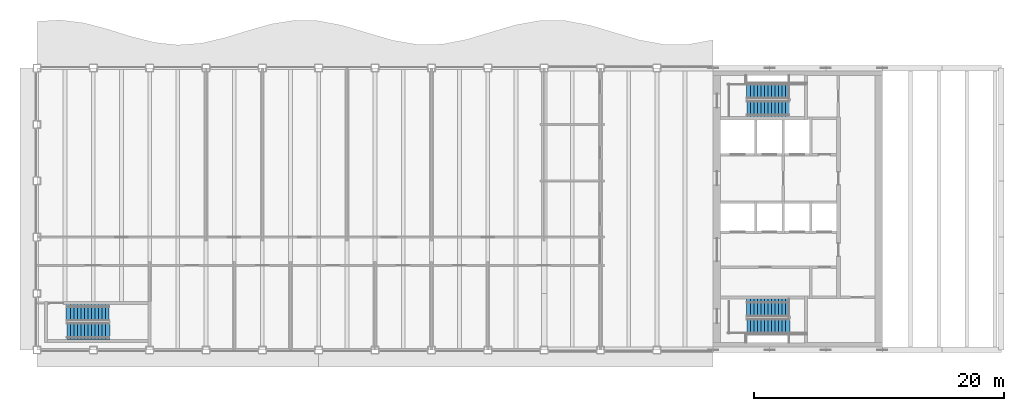
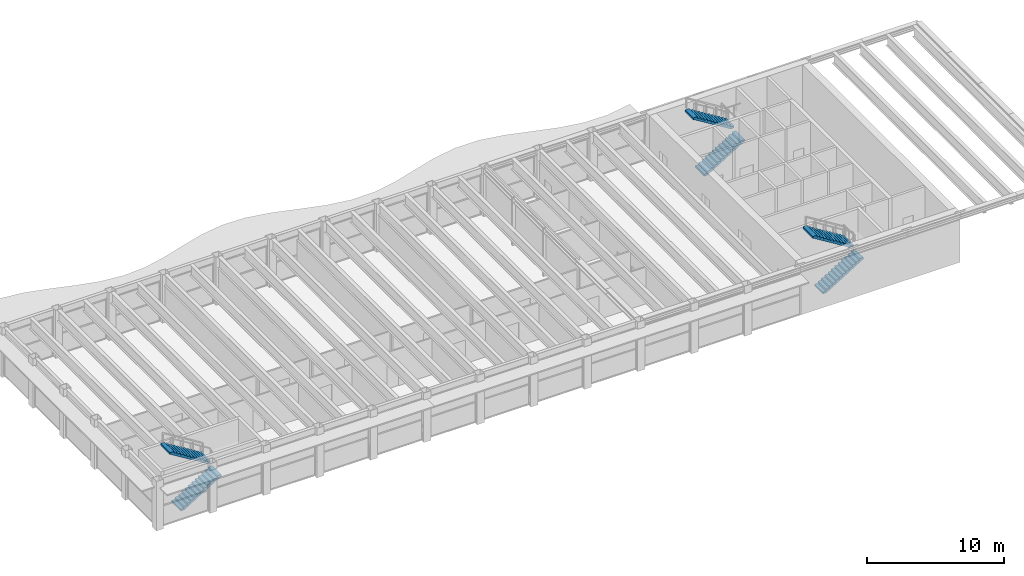
# One storey, part 12 of 15: 6 stair flights, 3 elements without a shape of their own.
"""IFC4 building model written with IfcOpenShell, lengths in metres."""

from ifc_helpers import new_model, si_unit, direction, frame, origin, place, context, subcontext, project, spatial, polyline, outline, extrude, material, type_object, element, aggregate, save


model = new_model("IFC4")

# Units and contexts
model_context = context("Model", 3, precision=1e-05, world=origin(), true_north=direction((0.0, 1.0)))
body_context = subcontext(model_context, "Body", "Model", "MODEL_VIEW")
ifc_project = project(units=[si_unit("LENGTHUNIT", "METRE"), si_unit("AREAUNIT", "SQUARE_METRE"), si_unit("VOLUMEUNIT", "CUBIC_METRE"), si_unit("PLANEANGLEUNIT", "RADIAN"), si_unit("MASSUNIT", "GRAM", prefix="KILO")], contexts=[model_context])

# Site, building, storey
site_placement = place(None, origin())
site = spatial("IfcSite", under=ifc_project, at=site_placement, CompositionType="ELEMENT")
building_placement = place(site_placement, origin())
building = spatial("IfcBuilding", under=site, at=building_placement, Name="Sennacour Bend Tower", CompositionType="ELEMENT")
storey_placement = place(building_placement, frame((0.0, 0.0, 341.0)))
storey = spatial("IfcBuildingStorey", under=building, at=storey_placement, Name="L78", CompositionType="ELEMENT", Elevation=341.0)

# Stair, stair flights
ifc_material = material(Name="Concrete C40/50", Category="concrete")
stair_type = type_object("IfcStairType", Name="ST-DOGLEG", PredefinedType="HALF_TURN_STAIR", material=ifc_material)
stair_1_placement = place(storey_placement, origin())
stair_1 = element("IfcStair", 1, at=stair_1_placement, inside=storey, type_object=stair_type, Name="L78 Exit stair A1", PredefinedType="HALF_TURN_STAIR")
stair_flight_type = type_object("IfcStairFlightType", Name="SFL-RC", PredefinedType="STRAIGHT", material=ifc_material)
stair_flight_1_placement = place(storey_placement, frame((56.699951171875, 1.89990234375, 0.0), z_axis=(0.0, 0.0, 1.0), x_axis=(1.0, 0.0, 0.0)))
stair_flight_1 = element("IfcStairFlight", 2, at=stair_flight_1_placement, type_object=stair_flight_type, Name="SA1 flight 1", NumberOfRisers=13, NumberOfTreads=12, PredefinedType="STRAIGHT", RiserHeight=0.173076923, TreadLength=0.28, context=body_context, shape_type="SweptSolid", body=[
    extrude(outline(polyline([(0.0, 0.0), (0.0, 0.173095703125), (0.280029296875, 0.173095703125), (0.280029296875, 0.34619140625), (0.56005859375, 0.34619140625), (0.56005859375, 0.519287109375), (0.840087890625, 0.519287109375), (0.840087890625, 0.6923828125), (1.1201171875, 0.6923828125), (1.1201171875, 0.865478515625), (1.39990234375, 0.865478515625), (1.39990234375, 1.03857421875), (1.679931640625, 1.03857421875), (1.679931640625, 1.21142578125), (1.9599609375, 1.21142578125), (1.9599609375, 1.384521484375), (2.239990234375, 1.384521484375), (2.239990234375, 1.5576171875), (2.52001953125, 1.5576171875), (2.52001953125, 1.730712890625), (2.800048828125, 1.730712890625), (2.800048828125, 1.90380859375), (3.080078125, 1.90380859375), (3.080078125, 2.076904296875), (3.360107421875, 2.076904296875), (3.419921875, 2.076904296875), (3.419921875, 1.900634765625), (3.360107421875, 1.900634765625), (0.28515625, 0.0), (0.0, 0.0)])), frame((0.0, 0.60009765625, 0.0), z_axis=(0.0, -1.0, 0.0), x_axis=(1.0, 0.0, 0.0)), (0.0, 0.0, 1.0), 1.199951171875),
])
stair_flight_2_placement = place(storey_placement, frame((60.06005859375, 3.37744140625, 2.25), z_axis=(0.0, 0.0, 1.0), x_axis=(-1.0, 0.0, 0.0)))
stair_flight_2 = element("IfcStairFlight", 3, at=stair_flight_2_placement, type_object=stair_flight_type, Name="SA1 flight 2", NumberOfRisers=13, NumberOfTreads=12, PredefinedType="STRAIGHT", RiserHeight=0.173076923, TreadLength=0.28, context=body_context, shape_type="SweptSolid", body=[
    extrude(outline(polyline([(0.0, 0.0), (0.0, 0.173095703125), (0.280029296875, 0.173095703125), (0.280029296875, 0.34619140625), (0.56005859375, 0.34619140625), (0.56005859375, 0.519287109375), (0.840087890625, 0.519287109375), (0.840087890625, 0.6923828125), (1.1201171875, 0.6923828125), (1.1201171875, 0.865478515625), (1.39990234375, 0.865478515625), (1.39990234375, 1.03857421875), (1.679931640625, 1.03857421875), (1.679931640625, 1.21142578125), (1.9599609375, 1.21142578125), (1.9599609375, 1.384521484375), (2.239990234375, 1.384521484375), (2.239990234375, 1.5576171875), (2.52001953125, 1.5576171875), (2.52001953125, 1.730712890625), (2.800048828125, 1.730712890625), (2.800048828125, 1.90380859375), (3.080078125, 1.90380859375), (3.080078125, 2.076904296875), (3.360107421875, 2.076904296875), (3.419921875, 2.076904296875), (3.419921875, 1.900634765625), (3.360107421875, 1.900634765625), (0.28515625, 0.0), (0.0, 0.0)])), frame((0.0, 0.7275390625, 0.0), z_axis=(0.0, -1.0, 0.0), x_axis=(1.0, 0.0, 0.0)), (0.0, 0.0, 1.0), 1.455078125),
])
aggregate(stair_1, [stair_flight_1, stair_flight_2])

stair_2_placement = place(storey_placement, origin())
stair_2 = element("IfcStair", 4, at=stair_2_placement, inside=storey, type_object=stair_type, Name="L78 Exit stair A2", PredefinedType="HALF_TURN_STAIR")
stair_flight_3_placement = place(storey_placement, frame((56.699951171875, 19.24755859375, 0.0), z_axis=(0.0, 0.0, 1.0), x_axis=(1.0, 0.0, 0.0)))
stair_flight_3 = element("IfcStairFlight", 5, at=stair_flight_3_placement, type_object=stair_flight_type, Name="SA2 flight 1", NumberOfRisers=13, NumberOfTreads=12, PredefinedType="STRAIGHT", RiserHeight=0.173076923, TreadLength=0.28, context=body_context, shape_type="SweptSolid", body=[
    extrude(outline(polyline([(0.0, 0.0), (0.0, 0.173095703125), (0.280029296875, 0.173095703125), (0.280029296875, 0.34619140625), (0.56005859375, 0.34619140625), (0.56005859375, 0.519287109375), (0.840087890625, 0.519287109375), (0.840087890625, 0.6923828125), (1.1201171875, 0.6923828125), (1.1201171875, 0.865478515625), (1.39990234375, 0.865478515625), (1.39990234375, 1.03857421875), (1.679931640625, 1.03857421875), (1.679931640625, 1.21142578125), (1.9599609375, 1.21142578125), (1.9599609375, 1.384521484375), (2.239990234375, 1.384521484375), (2.239990234375, 1.5576171875), (2.52001953125, 1.5576171875), (2.52001953125, 1.730712890625), (2.800048828125, 1.730712890625), (2.800048828125, 1.90380859375), (3.080078125, 1.90380859375), (3.080078125, 2.076904296875), (3.360107421875, 2.076904296875), (3.419921875, 2.076904296875), (3.419921875, 1.900634765625), (3.360107421875, 1.900634765625), (0.28515625, 0.0), (0.0, 0.0)])), frame((0.0, 0.65234375, 0.0), z_axis=(0.0, -1.0, 0.0), x_axis=(1.0, 0.0, 0.0)), (0.0, 0.0, 1.0), 1.304931640625),
])
stair_flight_4_placement = place(storey_placement, frame((60.06005859375, 20.64990234375, 2.25), z_axis=(0.0, 0.0, 1.0), x_axis=(-1.0, 0.0, 0.0)))
stair_flight_4 = element("IfcStairFlight", 6, at=stair_flight_4_placement, type_object=stair_flight_type, Name="SA2 flight 2", NumberOfRisers=13, NumberOfTreads=12, PredefinedType="STRAIGHT", RiserHeight=0.173076923, TreadLength=0.28, context=body_context, shape_type="SweptSolid", body=[
    extrude(outline(polyline([(0.0, 0.0), (0.0, 0.173095703125), (0.280029296875, 0.173095703125), (0.280029296875, 0.34619140625), (0.56005859375, 0.34619140625), (0.56005859375, 0.519287109375), (0.840087890625, 0.519287109375), (0.840087890625, 0.6923828125), (1.1201171875, 0.6923828125), (1.1201171875, 0.865478515625), (1.39990234375, 0.865478515625), (1.39990234375, 1.03857421875), (1.679931640625, 1.03857421875), (1.679931640625, 1.21142578125), (1.9599609375, 1.21142578125), (1.9599609375, 1.384521484375), (2.239990234375, 1.384521484375), (2.239990234375, 1.5576171875), (2.52001953125, 1.5576171875), (2.52001953125, 1.730712890625), (2.800048828125, 1.730712890625), (2.800048828125, 1.90380859375), (3.080078125, 1.90380859375), (3.080078125, 2.076904296875), (3.360107421875, 2.076904296875), (3.419921875, 2.076904296875), (3.419921875, 1.900634765625), (3.360107421875, 1.900634765625), (0.28515625, 0.0), (0.0, 0.0)])), frame((0.0, 0.60009765625, 0.0), z_axis=(0.0, -1.0, 0.0), x_axis=(1.0, 0.0, 0.0)), (0.0, 0.0, 1.0), 1.199951171875),
])
aggregate(stair_2, [stair_flight_3, stair_flight_4])

stair_3_placement = place(storey_placement, origin())
stair_3 = element("IfcStair", 7, at=stair_3_placement, inside=storey, type_object=stair_type, Name="L78 Exit stair K1", PredefinedType="HALF_TURN_STAIR")
stair_flight_5_placement = place(storey_placement, frame((2.39990234375, 1.485107421875, 0.0), z_axis=(0.0, 0.0, 1.0), x_axis=(1.0, 0.0, 0.0)))
stair_flight_5 = element("IfcStairFlight", 8, at=stair_flight_5_placement, type_object=stair_flight_type, Name="SK1 flight 1", NumberOfRisers=13, NumberOfTreads=12, PredefinedType="STRAIGHT", RiserHeight=0.173076923, TreadLength=0.28, context=body_context, shape_type="SweptSolid", body=[
    extrude(outline(polyline([(0.0, 0.0), (0.0, 0.173095703125), (0.280029296875, 0.173095703125), (0.280029296875, 0.34619140625), (0.56005859375, 0.34619140625), (0.56005859375, 0.519287109375), (0.840087890625, 0.519287109375), (0.840087890625, 0.6923828125), (1.1201171875, 0.6923828125), (1.1201171875, 0.865478515625), (1.39990234375, 0.865478515625), (1.39990234375, 1.03857421875), (1.679931640625, 1.03857421875), (1.679931640625, 1.21142578125), (1.9599609375, 1.21142578125), (1.9599609375, 1.384521484375), (2.239990234375, 1.384521484375), (2.239990234375, 1.5576171875), (2.52001953125, 1.5576171875), (2.52001953125, 1.730712890625), (2.800048828125, 1.730712890625), (2.800048828125, 1.90380859375), (3.080078125, 1.90380859375), (3.080078125, 2.076904296875), (3.360107421875, 2.076904296875), (3.419921875, 2.076904296875), (3.419921875, 1.900634765625), (3.360107421875, 1.900634765625), (0.28515625, 0.0), (0.0, 0.0)])), frame((0.0, 0.6650390625, 0.0), z_axis=(0.0, -1.0, 0.0), x_axis=(1.0, 0.0, 0.0)), (0.0, 0.0, 1.0), 1.330078125),
])
stair_flight_6_placement = place(storey_placement, frame((5.760009765625, 2.9775390625, 2.25), z_axis=(0.0, 0.0, 1.0), x_axis=(-1.0, 0.0, 0.0)))
stair_flight_6 = element("IfcStairFlight", 9, at=stair_flight_6_placement, type_object=stair_flight_type, Name="SK1 flight 2", NumberOfRisers=13, NumberOfTreads=12, PredefinedType="STRAIGHT", RiserHeight=0.173076923, TreadLength=0.28, context=body_context, shape_type="SweptSolid", body=[
    extrude(outline(polyline([(0.0, 0.0), (0.0, 0.173095703125), (0.280029296875, 0.173095703125), (0.280029296875, 0.34619140625), (0.56005859375, 0.34619140625), (0.56005859375, 0.519287109375), (0.840087890625, 0.519287109375), (0.840087890625, 0.6923828125), (1.1201171875, 0.6923828125), (1.1201171875, 0.865478515625), (1.39990234375, 0.865478515625), (1.39990234375, 1.03857421875), (1.679931640625, 1.03857421875), (1.679931640625, 1.21142578125), (1.9599609375, 1.21142578125), (1.9599609375, 1.384521484375), (2.239990234375, 1.384521484375), (2.239990234375, 1.5576171875), (2.52001953125, 1.5576171875), (2.52001953125, 1.730712890625), (2.800048828125, 1.730712890625), (2.800048828125, 1.90380859375), (3.080078125, 1.90380859375), (3.080078125, 2.076904296875), (3.360107421875, 2.076904296875), (3.419921875, 2.076904296875), (3.419921875, 1.900634765625), (3.360107421875, 1.900634765625), (0.28515625, 0.0), (0.0, 0.0)])), frame((0.0, 0.677490234375, 0.0), z_axis=(0.0, -1.0, 0.0), x_axis=(1.0, 0.0, 0.0)), (0.0, 0.0, 1.0), 1.35498046875),
])
aggregate(stair_3, [stair_flight_5, stair_flight_6])

save(model, "model.ifc")
